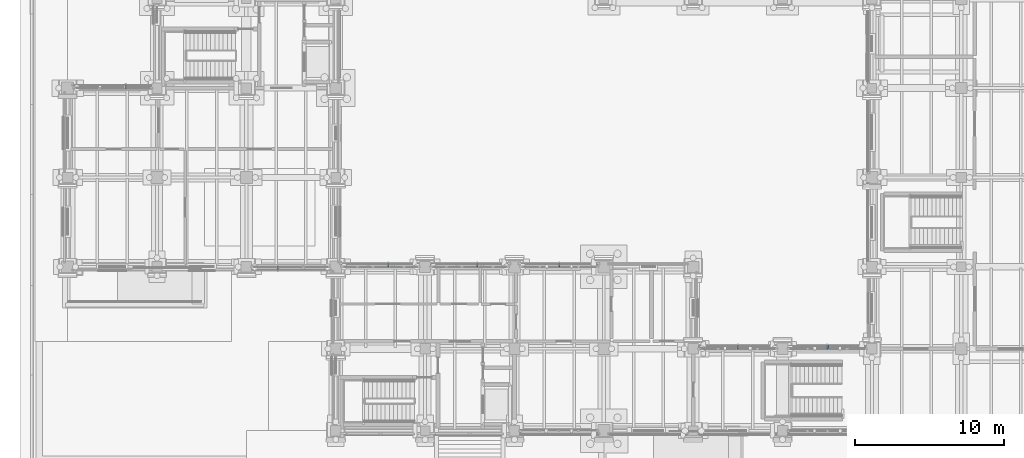
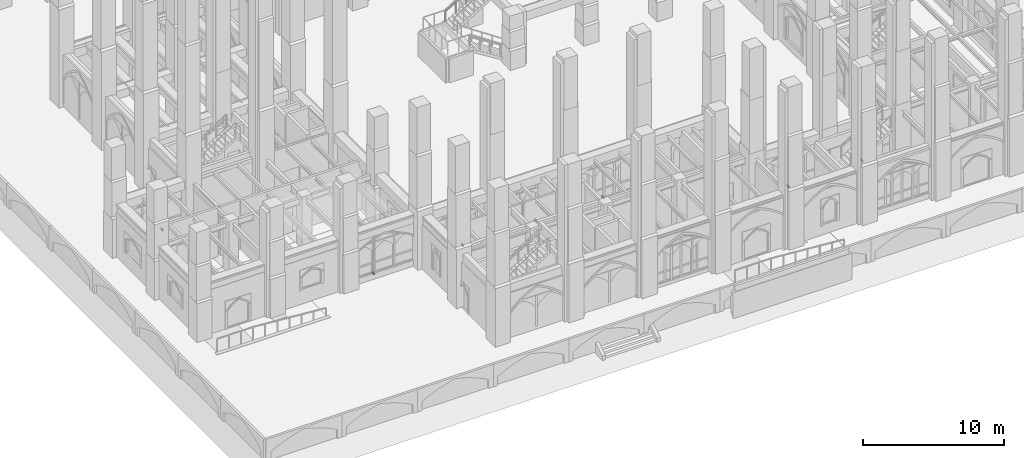
# One storey, part 71 of 135: 7 discrete accessories.
"""IFC4 building model written with IfcOpenShell, lengths in metres."""

from ifc_helpers import new_model, si_unit, direction, frame, origin, origin_2d, place, context, subcontext, project, spatial, rectangle, extrude, material, type_object, element, save


model = new_model("IFC4")

# Units and contexts
model_context = context("Model", 3, precision=1e-05, world=origin(), true_north=direction((0.0, 1.0)))
body_context = subcontext(model_context, "Body", "Model", "MODEL_VIEW")
ifc_project = project(units=[si_unit("LENGTHUNIT", "METRE"), si_unit("AREAUNIT", "SQUARE_METRE"), si_unit("VOLUMEUNIT", "CUBIC_METRE"), si_unit("PLANEANGLEUNIT", "RADIAN"), si_unit("MASSUNIT", "GRAM", prefix="KILO")], contexts=[model_context])

# Site, building, storey
site_placement = place(None, origin())
site = spatial("IfcSite", under=ifc_project, at=site_placement, CompositionType="ELEMENT")
building_placement = place(site_placement, origin())
building = spatial("IfcBuilding", under=site, at=building_placement, Name="Cumevento Cable Car Station", CompositionType="ELEMENT")
storey_placement = place(building_placement, origin())
storey = spatial("IfcBuildingStorey", under=building, at=storey_placement, Name="L01", CompositionType="ELEMENT", Elevation=0.0)

# Discrete accessories
ifc_material = material(Name="Steel ASTM A572 Grade 50", Category="steel")
discrete_accessory_type = type_object("IfcDiscreteAccessoryType", Name="Fin Support Bracket BK-01", PredefinedType="BRACKET", material=ifc_material)
for number, where, z_axis, x_axis, name in (
    (1, (25.534912109375, 15.110107421875, 0.169921875), (0.0, 0.0, 1.0), (1.0, 0.0, 0.0), "Solar Fin Bracket #1"),
    (2, (31.510009765625, 15.110107421875, 0.219970703125), (0.0, 0.0, 1.0), (1.0, 0.0, 0.0), "Solar Fin Bracket #2"),
    (3, (37.0, 15.110107421875, 0.31982421875), (0.0, 0.0, 1.0), (1.0, 0.0, 0.0), "Solar Fin Bracket #3"),
    (4, (48.987548828125, 9.610107421875, 0.369873046875), (0.0, 0.0, 1.0), (1.0, 0.0, 0.0), "Solar Fin Bracket #4"),
    (5, (55.012451171875, 9.610107421875, 0.47998046875), (0.0, 0.0, 1.0), (1.0, 0.0, 0.0), "Solar Fin Bracket #5"),
    (6, (7.89990234375, 27.110107421875, 0.419921875), (0.0, 0.0, 1.0), (1.0, 0.0, 0.0), "Solar Fin Bracket #9"),
    (7, (18.10009765625, 14.889892578125, 0.47998046875), (0.0, 0.0, 1.0), (-1.0, 0.0, 0.0), "Solar Fin Bracket #10"),
):
    element("IfcDiscreteAccessory", number, at=place(storey_placement, frame(where, z_axis=z_axis, x_axis=x_axis)), inside=storey, type_object=discrete_accessory_type, Name=name, PredefinedType="BRACKET", context=body_context, shape_type="SweptSolid", body=[
        extrude(rectangle(XDim=0.080078125, YDim=0.260009765625, at=origin_2d()), origin(), (0.0, 0.0, 1.0), 0.1201171875),
    ])

save(model, "model.ifc")
